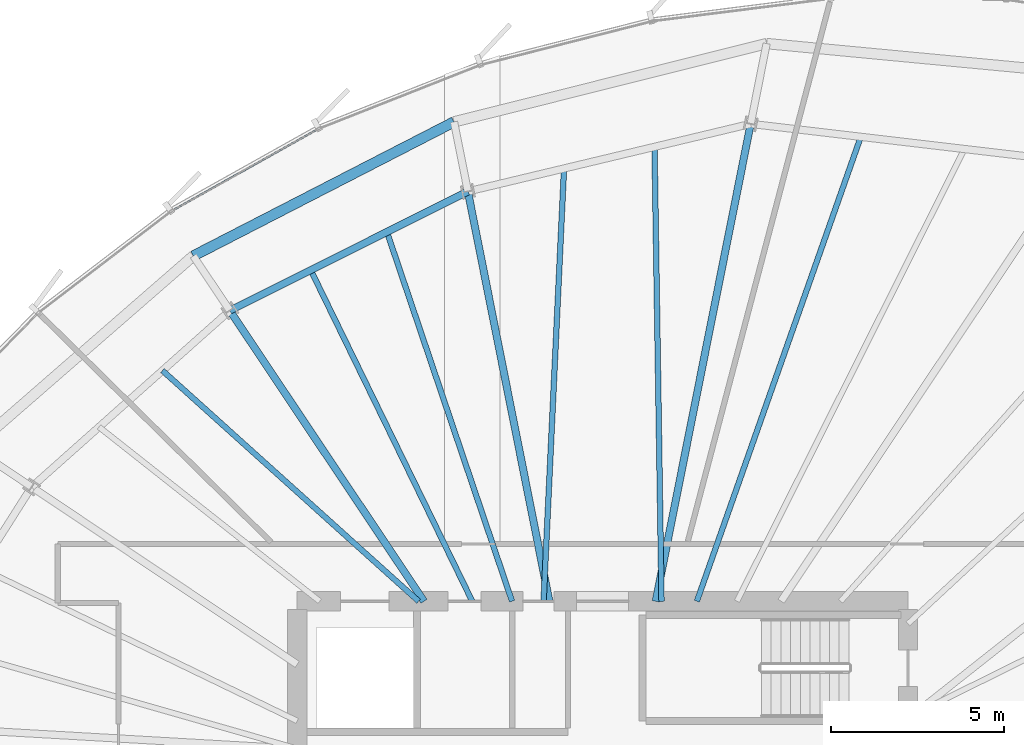
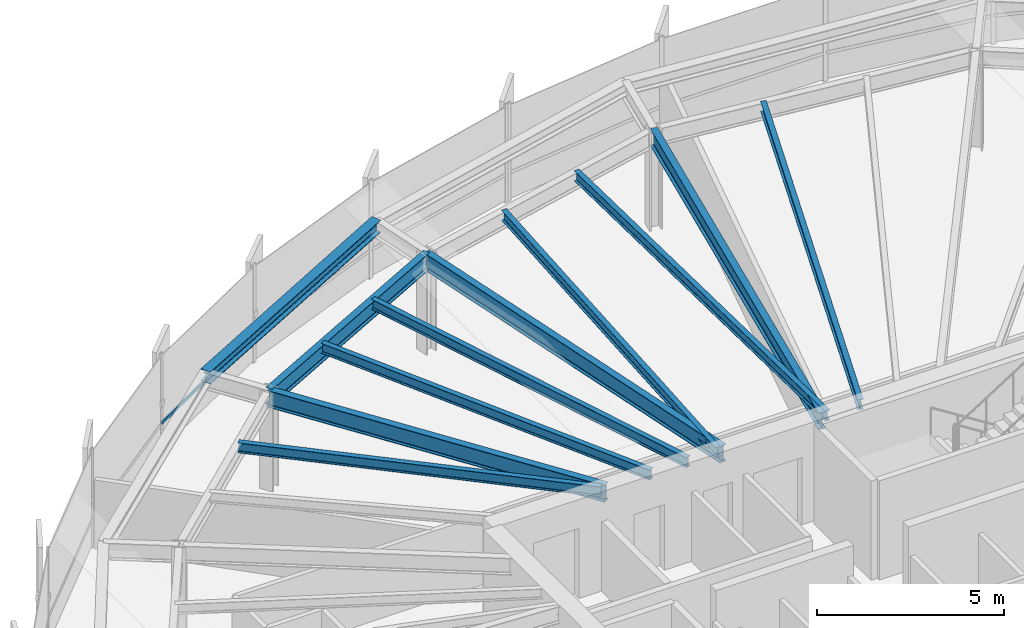
# One storey, part 21 of 35: 11 beams, 1 member, 1 element without a shape of its own.
"""IFC4 building model written with IfcOpenShell, lengths in metres."""

from ifc_helpers import new_model, si_unit, direction, frame, origin, origin_2d, place, context, subcontext, project, spatial, hollow_rectangle, i_section, extrude, source, transform, mapped, material, layer, layer_set, material_profile, profile_set, type_object, element, aggregate, save


model = new_model("IFC4")

# Units and contexts
model_context = context("Model", 3, precision=1e-05, world=origin(), true_north=direction((0.0, 1.0)))
body_context = subcontext(model_context, "Body", "Model", "MODEL_VIEW")
ifc_project = project(units=[si_unit("LENGTHUNIT", "METRE"), si_unit("AREAUNIT", "SQUARE_METRE"), si_unit("VOLUMEUNIT", "CUBIC_METRE"), si_unit("PLANEANGLEUNIT", "RADIAN"), si_unit("MASSUNIT", "GRAM", prefix="KILO"), si_unit("THERMODYNAMICTEMPERATUREUNIT", "KELVIN")], contexts=[model_context])

# Site, building, storey
site_placement = place(None, origin())
site = spatial("IfcSite", under=ifc_project, at=site_placement, CompositionType="ELEMENT")
building_placement = place(site_placement, origin())
building = spatial("IfcBuilding", under=site, at=building_placement, Name="Kethvar Cultural Tower", CompositionType="ELEMENT")
storey_placement = place(building_placement, frame((0.0, 0.0, 167.85009765625)))
storey = spatial("IfcBuildingStorey", under=building, at=storey_placement, Name="L43", CompositionType="ELEMENT", Elevation=167.85009765625)

# Beams
ifc_material_1 = material(Name="Steel S355J2", Category="steel")
ifc_material_profile_1 = material_profile(ifc_material_1, i_section(OverallWidth=0.2099609375, OverallDepth=0.550048828125, WebThickness=0.010986328125, FlangeThickness=0.01708984375, FilletRadius=0.02392578125, at=origin_2d()), Name="Steel S355J2 — IPE550")
ifc_profile_set_1 = profile_set([ifc_material_profile_1], Name="Steel S355J2 — IPE550")
beam_type_1 = type_object("IfcBeamType", Name="BM-IPE550", PredefinedType="BEAM", material=ifc_profile_set_1)
shared_shape_1 = source(origin(), body_context, "Body", "SweptSolid", [
    extrude(i_section(OverallWidth=0.2099609375, OverallDepth=0.550048828125, WebThickness=0.010986328125, FlangeThickness=0.01708984375, FilletRadius=0.02392578125, at=origin_2d()), origin(), (0.0, 0.0, 1.0), 14.02880859375),
])
beam_1_placement = place(storey_placement, frame((48.33154296875, 35.5, 2.962890625), z_axis=(0.195101986683, 0.980782960085, 0.0), x_axis=(-0.980782960085, 0.195101986683, 0.0)))
element("IfcBeam", 1, at=beam_1_placement, inside=storey, type_object=beam_type_1, Name="L43 Primary Radial Beam RB-04", PredefinedType="BEAM", context=body_context, shape_type="MappedRepresentation", body=[
    mapped(shared_shape_1, transform((0.0, 0.0, 0.0), scale=1.0)),
])
shared_shape_2 = source(origin(), body_context, "Body", "SweptSolid", [
    extrude(i_section(OverallWidth=0.2099609375, OverallDepth=0.550048828125, WebThickness=0.010986328125, FlangeThickness=0.01708984375, FilletRadius=0.02392578125, at=origin_2d()), origin(), (0.0, 0.0, 1.0), 12.042724609375),
])
beam_2_placement = place(storey_placement, frame((45.268310546875, 35.5, 2.962890625), z_axis=(-0.195086784047, 0.980785984142, 0.0), x_axis=(-0.980785984142, -0.195086784047, 0.0)))
element("IfcBeam", 2, at=beam_2_placement, inside=storey, type_object=beam_type_1, Name="L43 Primary Radial Beam RB-05", PredefinedType="BEAM", context=body_context, shape_type="MappedRepresentation", body=[
    mapped(shared_shape_2, transform((0.0, 0.0, 0.0), scale=1.0)),
])
shared_shape_3 = source(origin(), body_context, "Body", "SweptSolid", [
    extrude(i_section(OverallWidth=0.2099609375, OverallDepth=0.550048828125, WebThickness=0.010986328125, FlangeThickness=0.01708984375, FilletRadius=0.02392578125, at=origin_2d()), origin(), (0.0, 0.0, 1.0), 10.0751953125),
])
beam_3_placement = place(storey_placement, frame((41.655029296875, 35.5, 2.962890625), z_axis=(-0.555566654614, 0.831472003305, 0.0), x_axis=(-0.831472003305, -0.555566654614, 0.0)))
element("IfcBeam", 3, at=beam_3_placement, inside=storey, type_object=beam_type_1, Name="L43 Primary Radial Beam RB-06", PredefinedType="BEAM", context=body_context, shape_type="MappedRepresentation", body=[
    mapped(shared_shape_3, transform((0.0, 0.0, 0.0), scale=1.0)),
])
ifc_material_profile_2 = material_profile(ifc_material_1, i_section(OverallWidth=0.159912109375, OverallDepth=0.330078125, WebThickness=0.007568359375, FlangeThickness=0.011474609375, FilletRadius=0.01806640625, at=origin_2d()), Name="Steel S355J2 — IPE330")
ifc_profile_set_2 = profile_set([ifc_material_profile_2], Name="Steel S355J2 — IPE330")
beam_type_2 = type_object("IfcBeamType", Name="BM-J330", PredefinedType="JOIST", material=ifc_profile_set_2)
shared_shape_4 = source(origin(), body_context, "Body", "SweptSolid", [
    extrude(i_section(OverallWidth=0.159912109375, OverallDepth=0.330078125, WebThickness=0.007568359375, FlangeThickness=0.011474609375, FilletRadius=0.01806640625, at=origin_2d()), origin(), (0.0, 0.0, 1.0), 14.1953125),
])
beam_4_placement = place(storey_placement, frame((49.517822265625, 35.5, 3.072998046875), z_axis=(0.332865098769, 0.942974456717, 0.0), x_axis=(-0.942974456717, 0.332865098769, 0.0)))
element("IfcBeam", 4, at=beam_4_placement, inside=storey, type_object=beam_type_2, Name="L43 Composite Floor Joist J-03B", PredefinedType="JOIST", context=body_context, shape_type="MappedRepresentation", body=[
    mapped(shared_shape_4, transform((0.0, 0.0, 0.0), scale=1.0)),
])
shared_shape_5 = source(origin(), body_context, "Body", "SweptSolid", [
    extrude(i_section(OverallWidth=0.159912109375, OverallDepth=0.330078125, WebThickness=0.007568359375, FlangeThickness=0.011474609375, FilletRadius=0.01806640625, at=origin_2d()), origin(), (0.0, 0.0, 1.0), 13.098388671875),
])
beam_5_placement = place(storey_placement, frame((48.5, 35.5, 3.072998046875), z_axis=(-0.015451599057, 0.999880616917, 0.0), x_axis=(-0.999880616917, -0.015451599057, 0.0)))
element("IfcBeam", 5, at=beam_5_placement, inside=storey, type_object=beam_type_2, Name="L43 Composite Floor Joist J-04A", PredefinedType="JOIST", context=body_context, shape_type="MappedRepresentation", body=[
    mapped(shared_shape_5, transform((0.0, 0.0, 0.0), scale=1.0)),
])
shared_shape_6 = source(origin(), body_context, "Body", "SweptSolid", [
    extrude(i_section(OverallWidth=0.159912109375, OverallDepth=0.330078125, WebThickness=0.007568359375, FlangeThickness=0.011474609375, FilletRadius=0.01806640625, at=origin_2d()), origin(), (0.0, 0.0, 1.0), 12.487548828125),
])
beam_6_placement = place(storey_placement, frame((45.10009765625, 35.5, 3.072998046875), z_axis=(0.047214958818, 0.998884751943, 0.0), x_axis=(-0.998884751943, 0.047214958818, 0.0)))
element("IfcBeam", 6, at=beam_6_placement, inside=storey, type_object=beam_type_2, Name="L43 Composite Floor Joist J-04B", PredefinedType="JOIST", context=body_context, shape_type="MappedRepresentation", body=[
    mapped(shared_shape_6, transform((0.0, 0.0, 0.0), scale=1.0)),
])
shared_shape_7 = source(origin(), body_context, "Body", "SweptSolid", [
    extrude(i_section(OverallWidth=0.2099609375, OverallDepth=0.550048828125, WebThickness=0.010986328125, FlangeThickness=0.01708984375, FilletRadius=0.02392578125, at=origin_2d()), origin(), (0.0, 0.0, 1.0), 7.672607421875),
])
beam_7_placement = place(storey_placement, frame((42.9189453125, 47.311279296875, 2.962890625), z_axis=(-0.894248932057, -0.447569935892, 0.0), x_axis=(0.447569935892, -0.894248932057, 0.0)))
element("IfcBeam", 7, at=beam_7_placement, inside=storey, type_object=beam_type_1, Name="L43 Column Ring Tie Beam CR-05", PredefinedType="BEAM", context=body_context, shape_type="MappedRepresentation", body=[
    mapped(shared_shape_7, transform((0.0, 0.0, 0.0), scale=1.0)),
])
shared_shape_8 = source(origin(), body_context, "Body", "SweptSolid", [
    extrude(i_section(OverallWidth=0.159912109375, OverallDepth=0.330078125, WebThickness=0.007568359375, FlangeThickness=0.011474609375, FilletRadius=0.01806640625, at=origin_2d()), origin(), (0.0, 0.0, 1.0), 11.23779296875),
])
beam_8_placement = place(storey_placement, frame((44.191650390625, 35.5, 3.072998046875), z_axis=(-0.32083186626, 0.94713616423, 0.0), x_axis=(-0.94713616423, -0.32083186626, 0.0)))
element("IfcBeam", 8, at=beam_8_placement, inside=storey, type_object=beam_type_2, Name="L43 Composite Floor Joist J-05A", PredefinedType="JOIST", context=body_context, shape_type="MappedRepresentation", body=[
    mapped(shared_shape_8, transform((0.0, 0.0, 0.0), scale=1.0)),
])
shared_shape_9 = source(origin(), body_context, "Body", "SweptSolid", [
    extrude(i_section(OverallWidth=0.159912109375, OverallDepth=0.330078125, WebThickness=0.007568359375, FlangeThickness=0.011474609375, FilletRadius=0.01806640625, at=origin_2d()), origin(), (0.0, 0.0, 1.0), 10.619384765625),
])
beam_9_placement = place(storey_placement, frame((43.044921875, 35.5, 3.072998046875), z_axis=(-0.438308125028, 0.898824781331, 0.0), x_axis=(-0.898824781331, -0.438308125028, 0.0)))
element("IfcBeam", 9, at=beam_9_placement, inside=storey, type_object=beam_type_2, Name="L43 Composite Floor Joist J-05B", PredefinedType="JOIST", context=body_context, shape_type="MappedRepresentation", body=[
    mapped(shared_shape_9, transform((0.0, 0.0, 0.0), scale=1.0)),
])
shared_shape_10 = source(origin(), body_context, "Body", "SweptSolid", [
    extrude(i_section(OverallWidth=0.159912109375, OverallDepth=0.330078125, WebThickness=0.007568359375, FlangeThickness=0.011474609375, FilletRadius=0.01806640625, at=origin_2d()), origin(), (0.0, 0.0, 1.0), 9.93701171875),
])
beam_10_placement = place(storey_placement, frame((41.5, 35.5, 3.072998046875), z_axis=(-0.743138974967, 0.669137103952, 0.0), x_axis=(-0.669137103952, -0.743138974967, 0.0)))
element("IfcBeam", 10, at=beam_10_placement, inside=storey, type_object=beam_type_2, Name="L43 Composite Floor Joist J-06A", PredefinedType="JOIST", context=body_context, shape_type="MappedRepresentation", body=[
    mapped(shared_shape_10, transform((0.0, 0.0, 0.0), scale=1.0)),
])
ifc_material_profile_3 = material_profile(ifc_material_1, i_section(OverallWidth=0.300048828125, OverallDepth=0.39990234375, WebThickness=0.013427734375, FlangeThickness=0.02392578125, FilletRadius=0.027099609375, at=origin_2d()), Name="Steel S355J2 — HEB400")
ifc_profile_set_3 = profile_set([ifc_material_profile_3], Name="Steel S355J2 — HEB400")
beam_type_3 = type_object("IfcBeamType", Name="BM-SP400", PredefinedType="SPANDREL", material=ifc_profile_set_3)
shared_shape_11 = source(origin(), body_context, "Body", "SweptSolid", [
    extrude(i_section(OverallWidth=0.300048828125, OverallDepth=0.39990234375, WebThickness=0.013427734375, FlangeThickness=0.02392578125, FilletRadius=0.027099609375, at=origin_2d()), origin(), (0.0, 0.0, 1.0), 8.450439453125),
])
beam_11_placement = place(storey_placement, frame((42.52001953125, 49.317138671875, 3.037841796875), z_axis=(-0.889320029609, -0.457285343014, 0.0), x_axis=(0.457285343014, -0.889320029609, 0.0)))
element("IfcBeam", 11, at=beam_11_placement, inside=storey, type_object=beam_type_3, Name="L43 Perimeter Spandrel Beam SP-05", PredefinedType="SPANDREL", context=body_context, shape_type="MappedRepresentation", body=[
    mapped(shared_shape_11, transform((0.0, 0.0, 0.0), scale=1.0)),
])

# Curtain wall, member
ifc_material_2 = material(Name="Aluminium 6063-T6", Category="aluminium")
ifc_layer = layer(ifc_material_2, 0.179931640625, Name="Aluminium 6063-T6", Category="aluminium")
ifc_layer_set = layer_set([ifc_layer], Name="Aluminium 6063-T6 (180 mm)")
curtain_wall_type = type_object("IfcCurtainWallType", Name="CW-SYS-04-Z34", PredefinedType="NOTDEFINED", material=ifc_layer_set)
curtain_wall_placement = place(storey_placement, origin())
curtain_wall = element("IfcCurtainWall", 12, at=curtain_wall_placement, inside=storey, type_object=curtain_wall_type, Name="L43 Curtain Wall Run 02", PredefinedType="NOTDEFINED")
ifc_material_profile_4 = material_profile(ifc_material_2, hollow_rectangle(XDim=0.050048828125, YDim=0.10009765625, WallThickness=0.00390625, at=origin_2d()), Name="Aluminium 6063-T6 — RHS100x50x4")
ifc_profile_set_4 = profile_set([ifc_material_profile_4], Name="Aluminium 6063-T6 — RHS100x50x4")
member_type = type_object("IfcMemberType", Name="CW-SYS-04-Z34-TRN", PredefinedType="USERDEFINED", material=ifc_profile_set_4)
shared_shape_12 = source(origin(), body_context, "Body", "SweptSolid", [
    extrude(hollow_rectangle(XDim=0.050048828125, YDim=0.10009765625, WallThickness=0.00390625, at=origin_2d()), origin(), (0.0, 0.0, 1.0), 4.803955078125),
])
member_placement = place(storey_placement, frame((38.5830078125, 49.1015625, 0.949951171875), z_axis=(-0.872541544841, -0.488539919072, 0.0), x_axis=(0.488539919072, -0.872541544841, 0.0)))
member = element("IfcMember", 13, at=member_placement, type_object=member_type, Name="CW-L43-R02 Transom 3", ObjectType="TRANSOM", PredefinedType="USERDEFINED", context=body_context, shape_type="MappedRepresentation", body=[
    mapped(shared_shape_12, transform((0.0, 0.0, 0.0), scale=1.0)),
])
aggregate(curtain_wall, [member])

save(model, "model.ifc")
